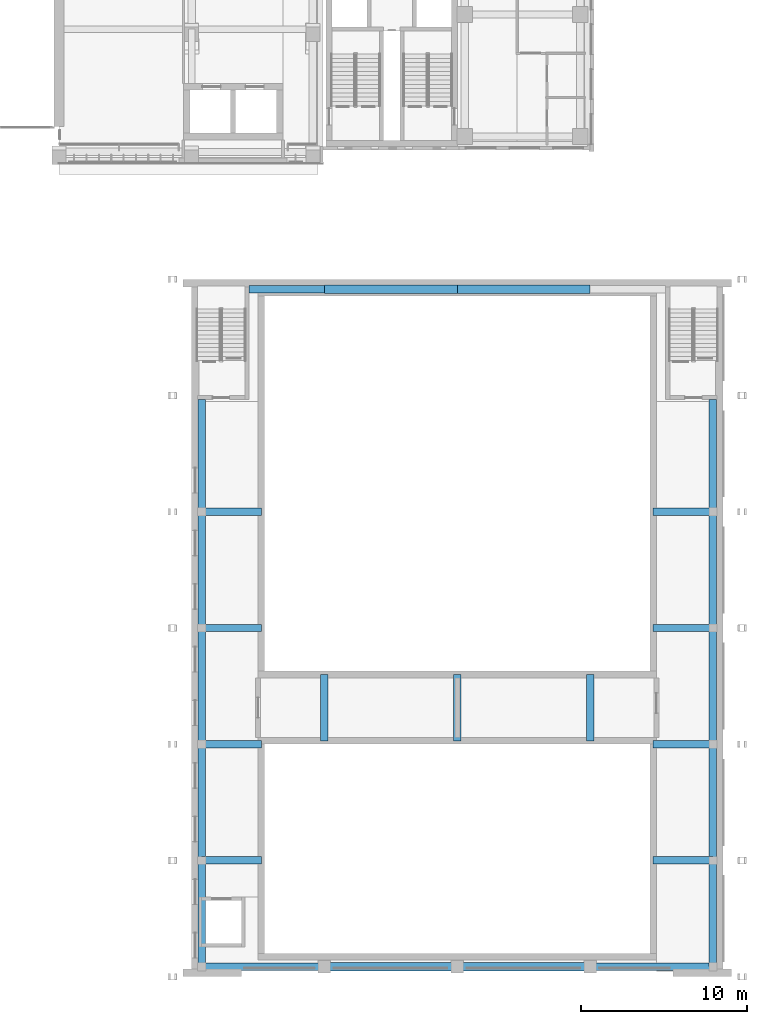
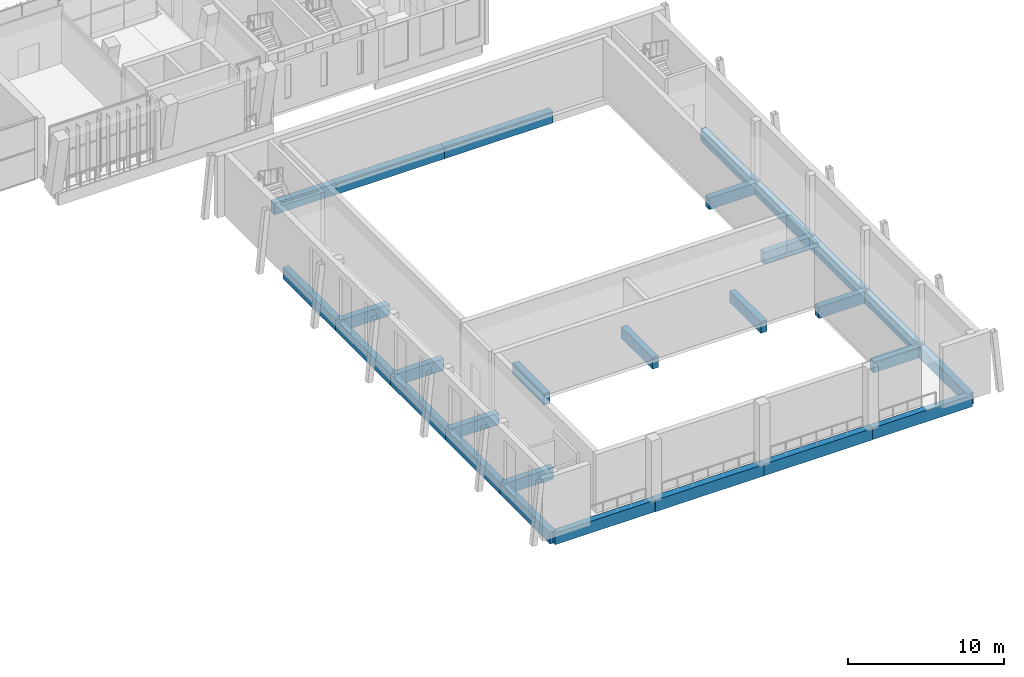
# One storey, part 13 of 92: 28 beams.
"""IFC4 building model written with IfcOpenShell, lengths in metres."""

from ifc_helpers import new_model, si_unit, direction, frame, origin, origin_2d, place, context, subcontext, project, spatial, rectangle, extrude, material, material_profile, profile_set, type_object, element, save


model = new_model("IFC4")

# Units and contexts
model_context = context("Model", 3, precision=1e-05, world=origin(), true_north=direction((0.0, 1.0)))
body_context = subcontext(model_context, "Body", "Model", "MODEL_VIEW")
ifc_project = project(units=[si_unit("LENGTHUNIT", "METRE"), si_unit("AREAUNIT", "SQUARE_METRE"), si_unit("VOLUMEUNIT", "CUBIC_METRE"), si_unit("PLANEANGLEUNIT", "RADIAN"), si_unit("MASSUNIT", "GRAM", prefix="KILO")], contexts=[model_context])

# Site, building, storey
site_placement = place(None, origin())
site = spatial("IfcSite", under=ifc_project, at=site_placement, CompositionType="ELEMENT")
building_placement = place(site_placement, origin())
building = spatial("IfcBuilding", under=site, at=building_placement, Name="Lantern Court Media Centre", CompositionType="ELEMENT")
storey_placement = place(building_placement, frame((0.0, 0.0, 4.800048828125)))
storey = spatial("IfcBuildingStorey", under=building, at=storey_placement, Name="L01", CompositionType="ELEMENT", Elevation=4.800048828125)

# Beams
ifc_material = material(Name="Concrete C35", Category="concrete")
ifc_material_profile_1 = material_profile(ifc_material, rectangle(XDim=0.449951171875, YDim=0.89990234375, at=origin_2d()), Name="RC 450x900")
ifc_profile_set_1 = profile_set([ifc_material_profile_1], Name="Concrete C35")
beam_type_1 = type_object("IfcBeamType", Name="RC BEAM 450x900", PredefinedType="BEAM", material=ifc_profile_set_1)
for number, where, z_axis, x_axis, name in (
    (1, (72.60009765625, -1.39990234375, -0.449951171875), (1.0, 0.0, 0.0), (0.0, 1.0, 0.0), "HB-V2-L01-FX0-0"),
    (2, (96.0, -1.39990234375, -0.449951171875), (1.0, 0.0, 0.0), (0.0, 1.0, 0.0), "HB-V2-L01-FX0-3"),
):
    element("IfcBeam", number, at=place(storey_placement, frame(where, z_axis=z_axis, x_axis=x_axis)), inside=storey, type_object=beam_type_1, Name=name, PredefinedType="BEAM", context=body_context, shape_type="SweptSolid", body=[
        extrude(rectangle(XDim=0.449951171875, YDim=0.89990234375, at=origin_2d()), origin(), (0.0, 0.0, 1.0), 7.39990234375),
    ])
for number, where, z_axis, x_axis, name in (
    (3, (72.60009765625, 5.0, -0.449951171875), (1.0, 0.0, 0.0), (0.0, 1.0, 0.0), "HB-V2-L01-FX1-0"),
    (4, (99.800048828125, 5.0, -0.449951171875), (1.0, 0.0, 0.0), (0.0, 1.0, 0.0), "HB-V2-L01-FX1-3"),
    (5, (72.60009765625, 12.0, -0.449951171875), (1.0, 0.0, 0.0), (0.0, 1.0, 0.0), "HB-V2-L01-FX2-0"),
    (6, (99.800048828125, 12.0, -0.449951171875), (1.0, 0.0, 0.0), (0.0, 1.0, 0.0), "HB-V2-L01-FX2-3"),
    (7, (72.60009765625, 19.0, -0.449951171875), (1.0, 0.0, 0.0), (0.0, 1.0, 0.0), "HB-V2-L01-FX3-0"),
    (8, (99.800048828125, 19.0, -0.449951171875), (1.0, 0.0, 0.0), (0.0, 1.0, 0.0), "HB-V2-L01-FX3-3"),
    (9, (72.60009765625, 26.0, -0.449951171875), (1.0, 0.0, 0.0), (0.0, 1.0, 0.0), "HB-V2-L01-FX4-0"),
    (10, (99.800048828125, 26.0, -0.449951171875), (1.0, 0.0, 0.0), (0.0, 1.0, 0.0), "HB-V2-L01-FX4-3"),
):
    element("IfcBeam", number, at=place(storey_placement, frame(where, z_axis=z_axis, x_axis=x_axis)), inside=storey, type_object=beam_type_1, Name=name, PredefinedType="BEAM", context=body_context, shape_type="SweptSolid", body=[
        extrude(rectangle(XDim=0.449951171875, YDim=0.89990234375, at=origin_2d()), origin(), (0.0, 0.0, 1.0), 3.599853515625),
    ])
beam_1_placement = place(storey_placement, frame((75.449951171875, 39.39990234375, -0.449951171875), z_axis=(1.0, 0.0, 0.0), x_axis=(0.0, 1.0, 0.0)))
element("IfcBeam", 11, at=beam_1_placement, inside=storey, type_object=beam_type_1, Name="HB-V2-L01-FX6-0", PredefinedType="BEAM", context=body_context, shape_type="SweptSolid", body=[
    extrude(rectangle(XDim=0.449951171875, YDim=0.89990234375, at=origin_2d()), origin(), (0.0, 0.0, 1.0), 4.550048828125),
])
beam_2_placement = place(storey_placement, frame((72.60009765625, -1.39990234375, -0.449951171875), z_axis=(0.0, 1.0, 0.0), x_axis=(-1.0, 0.0, 0.0)))
element("IfcBeam", 12, at=beam_2_placement, inside=storey, type_object=beam_type_1, Name="HB-V2-L01-FY0-0", PredefinedType="BEAM", context=body_context, shape_type="SweptSolid", body=[
    extrude(rectangle(XDim=0.449951171875, YDim=0.89990234375, at=origin_2d()), origin(), (0.0, 0.0, 1.0), 6.39990234375),
])
for number, where, z_axis, x_axis, name in (
    (13, (72.60009765625, 5.0, -0.449951171875), (0.0, 1.0, 0.0), (-1.0, 0.0, 0.0), "HB-V2-L01-FY0-1"),
    (14, (72.60009765625, 12.0, -0.449951171875), (0.0, 1.0, 0.0), (-1.0, 0.0, 0.0), "HB-V2-L01-FY0-2"),
    (15, (72.60009765625, 19.0, -0.449951171875), (0.0, 1.0, 0.0), (-1.0, 0.0, 0.0), "HB-V2-L01-FY0-3"),
):
    element("IfcBeam", number, at=place(storey_placement, frame(where, z_axis=z_axis, x_axis=x_axis)), inside=storey, type_object=beam_type_1, Name=name, PredefinedType="BEAM", context=body_context, shape_type="SweptSolid", body=[
        extrude(rectangle(XDim=0.449951171875, YDim=0.89990234375, at=origin_2d()), origin(), (0.0, 0.0, 1.0), 7.0),
    ])
beam_3_placement = place(storey_placement, frame((72.60009765625, 26.0, -0.449951171875), z_axis=(0.0, 1.0, 0.0), x_axis=(-1.0, 0.0, 0.0)))
element("IfcBeam", 16, at=beam_3_placement, inside=storey, type_object=beam_type_1, Name="HB-V2-L01-FY0-4", PredefinedType="BEAM", context=body_context, shape_type="SweptSolid", body=[
    extrude(rectangle(XDim=0.449951171875, YDim=0.89990234375, at=origin_2d()), origin(), (0.0, 0.0, 1.0), 6.75),
])
for number, where, z_axis, x_axis, name in (
    (17, (80.0, 12.199951171875, -0.449951171875), (0.0, 1.0, 0.0), (-1.0, 0.0, 0.0), "HB-V2-L01-FY1-2"),
    (18, (88.0, 12.199951171875, -0.449951171875), (0.0, 1.0, 0.0), (-1.0, 0.0, 0.0), "HB-V2-L01-FY2-2"),
    (19, (96.0, 12.199951171875, -0.449951171875), (0.0, 1.0, 0.0), (-1.0, 0.0, 0.0), "HB-V2-L01-FY3-2"),
):
    element("IfcBeam", number, at=place(storey_placement, frame(where, z_axis=z_axis, x_axis=x_axis)), inside=storey, type_object=beam_type_1, Name=name, PredefinedType="BEAM", context=body_context, shape_type="SweptSolid", body=[
        extrude(rectangle(XDim=0.449951171875, YDim=0.89990234375, at=origin_2d()), origin(), (0.0, 0.0, 1.0), 4.0),
    ])
beam_4_placement = place(storey_placement, frame((103.39990234375, -1.39990234375, -0.449951171875), z_axis=(0.0, 1.0, 0.0), x_axis=(-1.0, 0.0, 0.0)))
element("IfcBeam", 20, at=beam_4_placement, inside=storey, type_object=beam_type_1, Name="HB-V2-L01-FY4-0", PredefinedType="BEAM", context=body_context, shape_type="SweptSolid", body=[
    extrude(rectangle(XDim=0.449951171875, YDim=0.89990234375, at=origin_2d()), origin(), (0.0, 0.0, 1.0), 6.39990234375),
])
for number, where, z_axis, x_axis, name in (
    (21, (103.39990234375, 5.0, -0.449951171875), (0.0, 1.0, 0.0), (-1.0, 0.0, 0.0), "HB-V2-L01-FY4-1"),
    (22, (103.39990234375, 12.0, -0.449951171875), (0.0, 1.0, 0.0), (-1.0, 0.0, 0.0), "HB-V2-L01-FY4-2"),
    (23, (103.39990234375, 19.0, -0.449951171875), (0.0, 1.0, 0.0), (-1.0, 0.0, 0.0), "HB-V2-L01-FY4-3"),
):
    element("IfcBeam", number, at=place(storey_placement, frame(where, z_axis=z_axis, x_axis=x_axis)), inside=storey, type_object=beam_type_1, Name=name, PredefinedType="BEAM", context=body_context, shape_type="SweptSolid", body=[
        extrude(rectangle(XDim=0.449951171875, YDim=0.89990234375, at=origin_2d()), origin(), (0.0, 0.0, 1.0), 7.0),
    ])
beam_5_placement = place(storey_placement, frame((103.39990234375, 26.0, -0.449951171875), z_axis=(0.0, 1.0, 0.0), x_axis=(-1.0, 0.0, 0.0)))
element("IfcBeam", 24, at=beam_5_placement, inside=storey, type_object=beam_type_1, Name="HB-V2-L01-FY4-4", PredefinedType="BEAM", context=body_context, shape_type="SweptSolid", body=[
    extrude(rectangle(XDim=0.449951171875, YDim=0.89990234375, at=origin_2d()), origin(), (0.0, 0.0, 1.0), 6.75),
])
ifc_material_profile_2 = material_profile(ifc_material, rectangle(XDim=0.5, YDim=0.89990234375, at=origin_2d()), Name="RC 500x900")
ifc_profile_set_2 = profile_set([ifc_material_profile_2], Name="Concrete C35")
beam_type_2 = type_object("IfcBeamType", Name="RC BEAM 500x900", PredefinedType="BEAM", material=ifc_profile_set_2)
for number, where, z_axis, x_axis, name in (
    (25, (80.0, -1.39990234375, -0.449951171875), (1.0, 0.0, 0.0), (0.0, 1.0, 0.0), "HB-V2-L01-FX0-1"),
    (26, (88.0, -1.39990234375, -0.449951171875), (1.0, 0.0, 0.0), (0.0, 1.0, 0.0), "HB-V2-L01-FX0-2"),
    (27, (80.0, 39.39990234375, -0.449951171875), (1.0, 0.0, 0.0), (0.0, 1.0, 0.0), "HB-V2-L01-FX6-1"),
    (28, (88.0, 39.39990234375, -0.449951171875), (1.0, 0.0, 0.0), (0.0, 1.0, 0.0), "HB-V2-L01-FX6-2"),
):
    element("IfcBeam", number, at=place(storey_placement, frame(where, z_axis=z_axis, x_axis=x_axis)), inside=storey, type_object=beam_type_2, Name=name, PredefinedType="BEAM", context=body_context, shape_type="SweptSolid", body=[
        extrude(rectangle(XDim=0.5, YDim=0.89990234375, at=origin_2d()), origin(), (0.0, 0.0, 1.0), 8.0),
    ])

save(model, "model.ifc")
